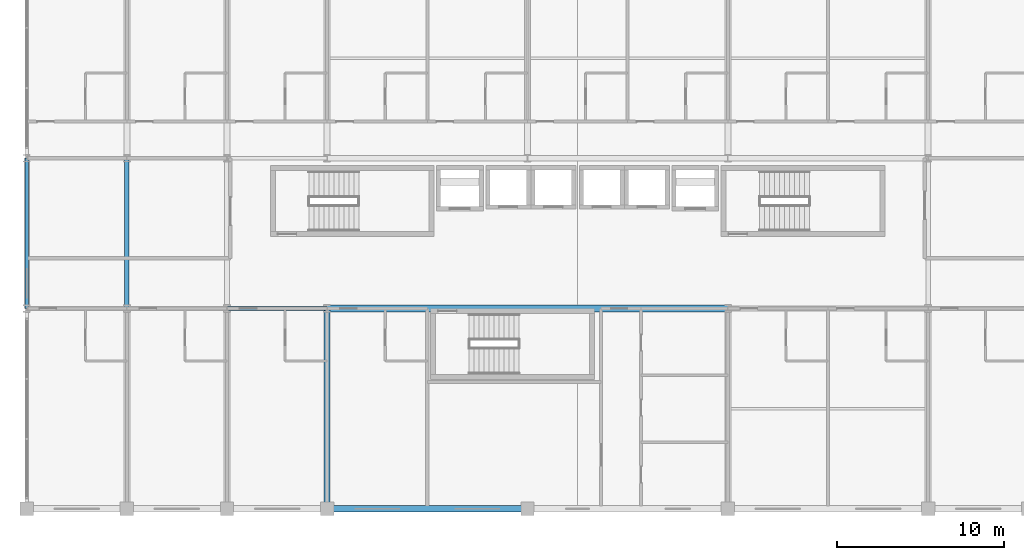
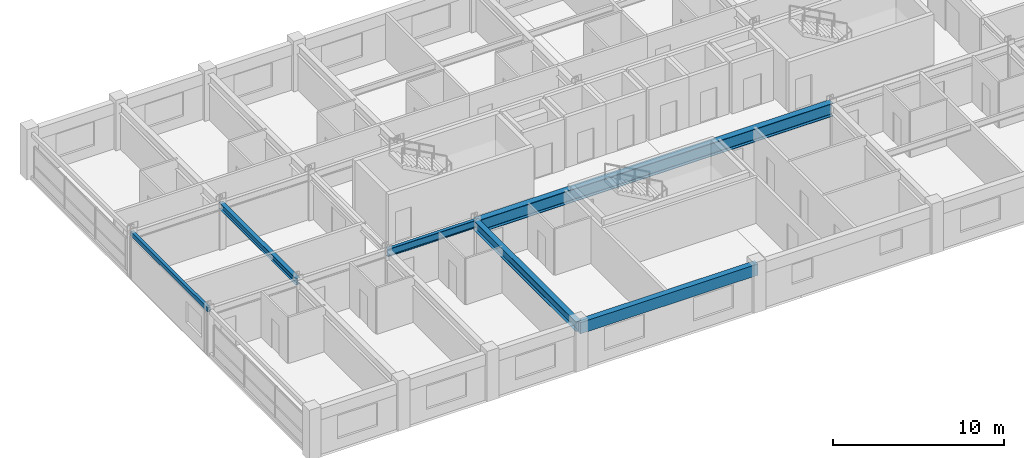
# One storey, part 5 of 27: 6 beams.
"""IFC4 building model written with IfcOpenShell, lengths in metres."""

from ifc_helpers import new_model, si_unit, direction, frame, origin, origin_2d, place, context, subcontext, project, spatial, rectangle, hollow_rectangle, i_section, extrude, material, material_profile, profile_set, type_object, element, save


model = new_model("IFC4")

# Units and contexts
model_context = context("Model", 3, precision=1e-05, world=origin(), true_north=direction((0.0, 1.0)))
body_context = subcontext(model_context, "Body", "Model", "MODEL_VIEW")
ifc_project = project(units=[si_unit("LENGTHUNIT", "METRE"), si_unit("AREAUNIT", "SQUARE_METRE"), si_unit("VOLUMEUNIT", "CUBIC_METRE"), si_unit("PLANEANGLEUNIT", "RADIAN"), si_unit("MASSUNIT", "GRAM", prefix="KILO")], contexts=[model_context])

# Site, building, storey
site_placement = place(None, origin())
site = spatial("IfcSite", under=ifc_project, at=site_placement, CompositionType="ELEMENT")
building_placement = place(site_placement, origin())
building = spatial("IfcBuilding", under=site, at=building_placement, Name="Kaldorvane Square Convention Centre", CompositionType="ELEMENT")
storey_placement = place(building_placement, frame((0.0, 0.0, 38.399993896484375)))
storey = spatial("IfcBuildingStorey", under=building, at=storey_placement, Name="L08", CompositionType="ELEMENT", Elevation=38.399993896484375)

# Beams
ifc_material_1 = material(Name="Steel ASTM A992 Gr. 50", Category="steel")
ifc_material_profile_1 = material_profile(ifc_material_1, i_section(OverallWidth=0.213897705078125, OverallDepth=0.549102783203125, WebThickness=0.0146942138671875, FlangeThickness=0.0236053466796875, FilletRadius=0.0126953125, at=origin_2d()), Name="W21X93")
ifc_profile_set_1 = profile_set([ifc_material_profile_1], Name="Steel ASTM A992 Gr. 50")
beam_type_1 = type_object("IfcBeamType", Name="BM-GR-W21X93", PredefinedType="BEAM", material=ifc_profile_set_1)
beam_1_placement = place(storey_placement, frame((36.0, 96.0, 3.011505126953125), z_axis=(1.0, 0.0, 0.0), x_axis=(0.0, 1.0, 0.0)))
element("IfcBeam", 1, at=beam_1_placement, inside=storey, type_object=beam_type_1, Name="Primary Girder (L08)", PredefinedType="BEAM", context=body_context, shape_type="SweptSolid", body=[
    extrude(i_section(OverallWidth=0.213897705078125, OverallDepth=0.549102783203125, WebThickness=0.0146942138671875, FlangeThickness=0.0236053466796875, FilletRadius=0.0126953125, at=origin_2d()), origin(), (0.0, 0.0, 1.0), 6.0),
])
ifc_material_profile_2 = material_profile(ifc_material_1, i_section(OverallWidth=0.354705810546875, OverallDepth=0.69549560546875, WebThickness=0.0153961181640625, FlangeThickness=0.0251007080078125, FilletRadius=0.01519775390625, at=origin_2d()), Name="W27X146")
ifc_profile_set_2 = profile_set([ifc_material_profile_2], Name="Steel ASTM A992 Gr. 50")
beam_type_2 = type_object("IfcBeamType", Name="BM-GR-W27X146", PredefinedType="BEAM", material=ifc_profile_set_2)
beam_2_placement = place(storey_placement, frame((42.0, 84.0, 2.9383087158203125), z_axis=(0.0, 1.0, 0.0), x_axis=(-1.0, 0.0, 0.0)))
element("IfcBeam", 2, at=beam_2_placement, inside=storey, type_object=beam_type_2, Name="Transverse Girder (L08)", PredefinedType="BEAM", context=body_context, shape_type="SweptSolid", body=[
    extrude(i_section(OverallWidth=0.354705810546875, OverallDepth=0.69549560546875, WebThickness=0.0153961181640625, FlangeThickness=0.0251007080078125, FilletRadius=0.01519775390625, at=origin_2d()), origin(), (0.0, 0.0, 1.0), 12.0),
])
ifc_material_profile_3 = material_profile(ifc_material_1, i_section(OverallWidth=0.418304443359375, OverallDepth=0.926605224609375, WebThickness=0.0193023681640625, FlangeThickness=0.0319976806640625, FilletRadius=0.0240936279296875, at=origin_2d()), Name="W36X231")
ifc_profile_set_3 = profile_set([ifc_material_profile_3], Name="Steel ASTM A992 Gr. 50")
beam_type_3 = type_object("IfcBeamType", Name="BM-GR-W36X231", PredefinedType="BEAM", material=ifc_profile_set_3)
beam_3_placement = place(storey_placement, frame((42.0, 96.0, 2.8227081298828125), z_axis=(1.0, 0.0, 0.0), x_axis=(0.0, 1.0, 0.0)))
element("IfcBeam", 3, at=beam_3_placement, inside=storey, type_object=beam_type_3, Name="Primary Girder (L08)", PredefinedType="BEAM", context=body_context, shape_type="SweptSolid", body=[
    extrude(i_section(OverallWidth=0.418304443359375, OverallDepth=0.926605224609375, WebThickness=0.0193023681640625, FlangeThickness=0.0319976806640625, FilletRadius=0.0240936279296875, at=origin_2d()), origin(), (0.0, 0.0, 1.0), 24.0),
])
ifc_material_profile_4 = material_profile(ifc_material_1, i_section(OverallWidth=0.2799072265625, OverallDepth=0.462799072265625, WebThickness=0.01080322265625, FlangeThickness=0.017303466796875, FilletRadius=0.01019287109375, at=origin_2d()), Name="W18X76")
ifc_profile_set_4 = profile_set([ifc_material_profile_4], Name="Steel ASTM A992 Gr. 50")
beam_type_4 = type_object("IfcBeamType", Name="BM-JS-W18X76", PredefinedType="JOIST", material=ifc_profile_set_4)
beam_4_placement = place(storey_placement, frame((30.0, 96.0, 3.0546112060546875), z_axis=(0.0, 1.0, 0.0), x_axis=(-1.0, 0.0, 0.0)))
element("IfcBeam", 4, at=beam_4_placement, inside=storey, type_object=beam_type_4, Name="Transverse Girder (L08)", PredefinedType="JOIST", context=body_context, shape_type="SweptSolid", body=[
    extrude(i_section(OverallWidth=0.2799072265625, OverallDepth=0.462799072265625, WebThickness=0.01080322265625, FlangeThickness=0.017303466796875, FilletRadius=0.01019287109375, at=origin_2d()), origin(), (0.0, 0.0, 1.0), 9.0),
])
ifc_material_2 = material(Name="Steel ASTM A500 Gr. C", Category="steel")
ifc_material_profile_5 = material_profile(ifc_material_2, hollow_rectangle(XDim=0.2032012939453125, YDim=0.3047943115234375, WallThickness=0.0088958740234375, at=origin_2d()), Name="HSS12X8X3/8")
ifc_profile_set_5 = profile_set([ifc_material_profile_5], Name="Steel ASTM A500 Gr. C")
beam_type_5 = type_object("IfcBeamType", Name="BM-SP-HSS12", PredefinedType="SPANDREL", material=ifc_profile_set_5)
beam_5_placement = place(storey_placement, frame((24.0, 96.0, 3.13360595703125), z_axis=(0.0, 1.0, 0.0), x_axis=(-1.0, 0.0, 0.0)))
element("IfcBeam", 5, at=beam_5_placement, inside=storey, type_object=beam_type_5, Name="End Spandrel (L08)", PredefinedType="SPANDREL", context=body_context, shape_type="SweptSolid", body=[
    extrude(hollow_rectangle(XDim=0.2032012939453125, YDim=0.3047943115234375, WallThickness=0.0088958740234375, at=origin_2d()), origin(), (0.0, 0.0, 1.0), 9.0),
])
ifc_material_3 = material(Name="Concrete f'c = 42 MPa (Normalweight)", Category="concrete")
ifc_material_profile_6 = material_profile(ifc_material_3, rectangle(XDim=0.399993896484375, YDim=0.8000030517578125, at=origin_2d()), Name="RCSP800X400")
ifc_profile_set_6 = profile_set([ifc_material_profile_6], Name="Concrete f'c = 42 MPa (Normalweight)")
beam_type_6 = type_object("IfcBeamType", Name="BM-SP-RC800", PredefinedType="SPANDREL", material=ifc_profile_set_6)
beam_6_placement = place(storey_placement, frame((42.0, 84.0, 2.8860015869140625), z_axis=(1.0, 0.0, 0.0), x_axis=(0.0, 1.0, 0.0)))
element("IfcBeam", 6, at=beam_6_placement, inside=storey, type_object=beam_type_6, Name="Perimeter Spandrel (L08)", PredefinedType="SPANDREL", context=body_context, shape_type="SweptSolid", body=[
    extrude(rectangle(XDim=0.399993896484375, YDim=0.8000030517578125, at=origin_2d()), origin(), (0.0, 0.0, 1.0), 12.0),
])

save(model, "model.ifc")
